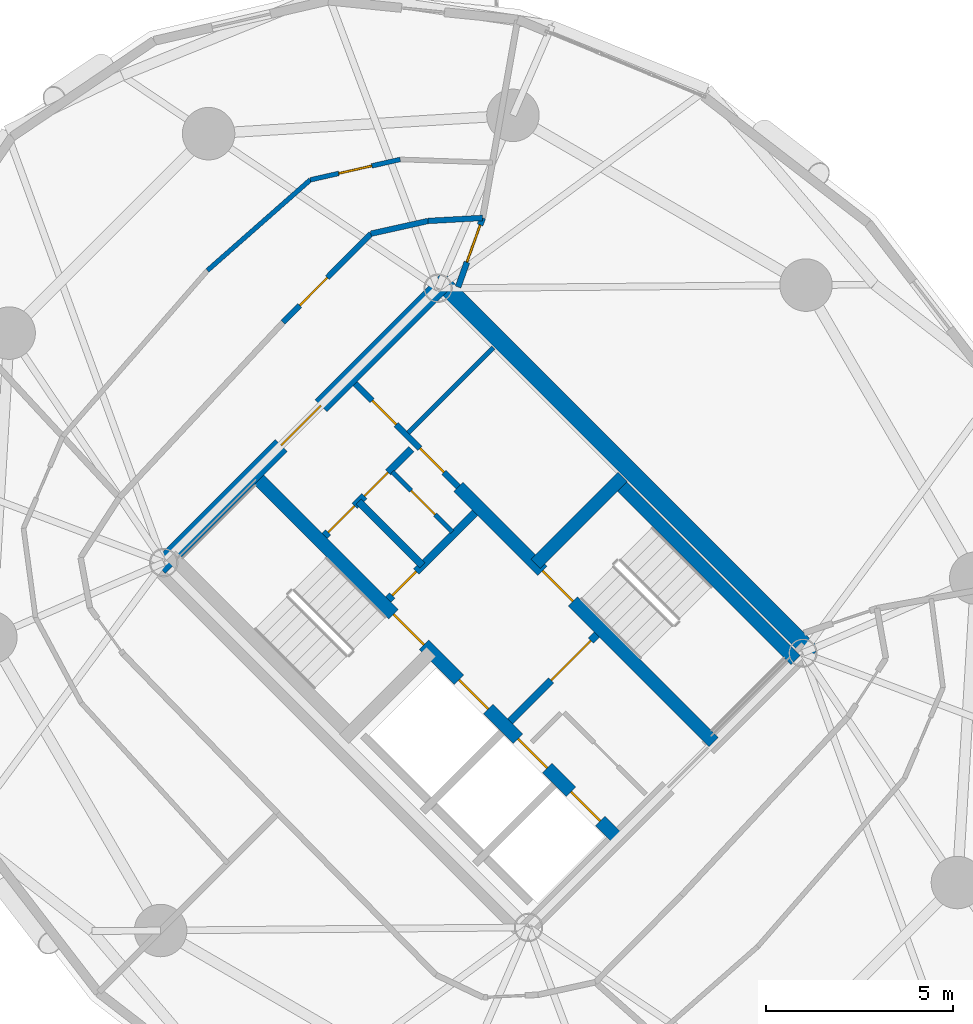
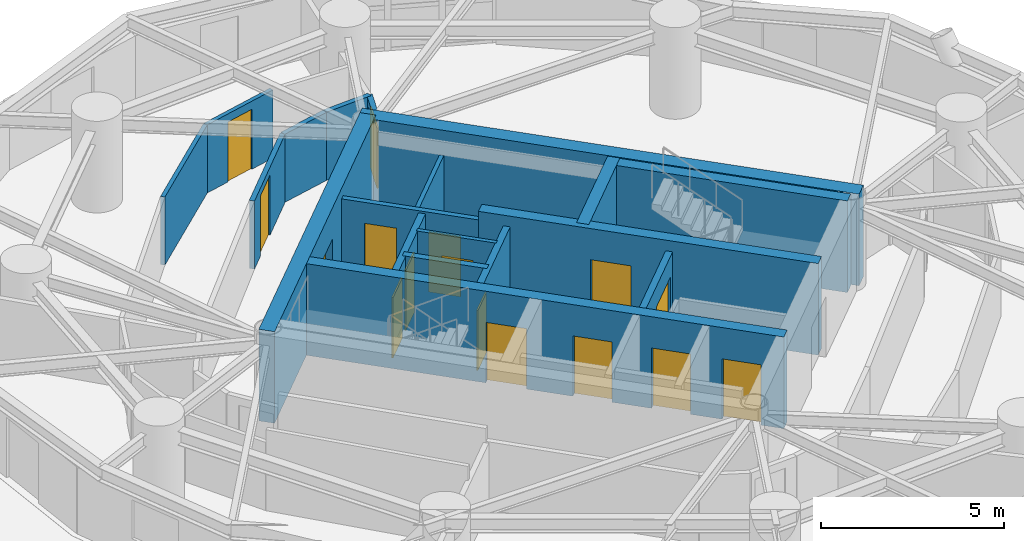
# One storey, part 13 of 19: 19 walls, 16 doors, 16 openings.
"""IFC4 building model written with IfcOpenShell, lengths in metres."""

import ifcopenshell
import ifcopenshell.guid

model = None  # the IFC model being written
_history = None  # IfcOwnerHistory: only IFC2X3 demands one
_inside = {}  # id of a spatial element -> (the spatial element, [elements in it])
_under = {}  # id of a project, library or spatial element -> (it, [spatial elements below it])
_declared = {}  # id of a project -> (the project, [libraries it declares])
_typed = {}  # id of a type object -> (the type object, [elements of that type])
_made_of = {}  # id of a material, layer set ... -> (it, [elements and type objects made of it])


def new_model(schema):
    """Start an empty IFC model of exactly this schema.

    Asked for "IFC4X3", IfcOpenShell would pick the latest addendum, in which some entities
    have other attributes; the version numbers below select the first issue.
    IFC2X3 requires an IfcOwnerHistory on every rooted entity: one is made here for all.
    """
    global model, _history
    if schema == "IFC4X3":
        model = ifcopenshell.file(schema_version=(4, 3, 0, 0))
    else:
        model = ifcopenshell.file(schema=schema)
    _inside.clear()
    _under.clear()
    _declared.clear()
    _typed.clear()
    _made_of.clear()
    _history = None
    if model.schema == "IFC2X3":
        org = make("IfcOrganization", Name="unknown")
        user = make(
            "IfcPersonAndOrganization",
            ThePerson=make("IfcPerson", FamilyName="unknown"),
            TheOrganization=org,
        )
        app = make(
            "IfcApplication",
            ApplicationDeveloper=org,
            Version="unknown",
            ApplicationFullName="unknown",
            ApplicationIdentifier="unknown",
        )
        _history = make(
            "IfcOwnerHistory",
            OwningUser=user,
            OwningApplication=app,
            ChangeAction="ADDED",
            CreationDate=0,
        )
    return model


def make(cls, **values):
    """One entity of the class cls with the attributes given. An attribute that is None is left unset."""
    return model.create_entity(
        cls, **{name: value for name, value in values.items() if value is not None}
    )


def rooted(cls, **values):
    """An entity with a GlobalId (a new one), such as an element, a storey or a relation."""
    return make(cls, GlobalId=ifcopenshell.guid.new(), OwnerHistory=_history, **values)


def si_unit(unit_type, name, prefix=None):
    """IfcSIUnit, for example si_unit("LENGTHUNIT", "METRE", prefix="MILLI")."""
    return make("IfcSIUnit", UnitType=unit_type, Prefix=prefix, Name=name)


def assignment(units):
    """IfcUnitAssignment: the units of a project."""
    return None if units is None else make("IfcUnitAssignment", Units=units)


def point(xyz):
    """IfcCartesianPoint."""
    return None if xyz is None else make("IfcCartesianPoint", Coordinates=xyz)


def direction(xyz):
    """IfcDirection."""
    return None if xyz is None else make("IfcDirection", DirectionRatios=xyz)


def frame(location, z_axis=None, x_axis=None):
    """IfcAxis2Placement3D, a coordinate frame: its origin and axes. An axis left out is left unset."""
    return make(
        "IfcAxis2Placement3D",
        Location=point(location),
        Axis=direction(z_axis),
        RefDirection=direction(x_axis),
    )


def frame_2d(location, x_axis=None):
    """IfcAxis2Placement2D, a coordinate frame in the plane: its origin and x axis."""
    return make(
        "IfcAxis2Placement2D", Location=point(location), RefDirection=direction(x_axis)
    )


def origin():
    """The frame at (0, 0, 0) with its axes left unset."""
    return frame((0.0, 0.0, 0.0))


def place(relative_to, where):
    """IfcLocalPlacement: puts the frame where relative to a parent placement (None: the world)."""
    return make(
        "IfcLocalPlacement", PlacementRelTo=relative_to, RelativePlacement=where
    )


def context(
    kind, dimensions, precision=None, world=None, true_north=None, identifier=None
):
    """IfcGeometricRepresentationContext, for example the 3D "Model" context."""
    return make(
        "IfcGeometricRepresentationContext",
        ContextIdentifier=identifier,
        ContextType=kind,
        CoordinateSpaceDimension=dimensions,
        Precision=precision,
        WorldCoordinateSystem=world,
        TrueNorth=true_north,
    )


def subcontext(parent, identifier, kind, view, scale=None):
    """IfcGeometricRepresentationSubContext, for example "Body" below "Model"."""
    return make(
        "IfcGeometricRepresentationSubContext",
        ContextIdentifier=identifier,
        ContextType=kind,
        ParentContext=parent,
        TargetScale=scale,
        TargetView=view,
    )


def project(units=None, contexts=None):
    """IfcProject with its units and contexts."""
    return rooted(
        "IfcProject",
        Name="project",
        RepresentationContexts=contexts,
        UnitsInContext=assignment(units),
    )


def spatial(cls, under=None, at=None, **own):
    """A site, building, storey or space (cls), placed at a placement, below another one or the project."""
    s = rooted(cls, ObjectPlacement=at, **own)
    if under is not None:
        _under.setdefault(under.id(), (under, []))[1].append(s)
    return s


def profile(cls, at=None, kind="AREA", **sizes):
    """A parametric profile (cls). Its sizes go by their IFC names, for example OverallWidth=200.0."""
    return make(cls, ProfileType=kind, Position=at, **sizes)


def rectangle(**sizes):
    """IfcRectangleProfileDef."""
    return profile("IfcRectangleProfileDef", **sizes)


def extrude(swept, where, along, depth):
    """IfcExtrudedAreaSolid: the profile swept, set in the frame where, extruded along a direction by depth."""
    return make(
        "IfcExtrudedAreaSolid",
        SweptArea=swept,
        Position=where,
        ExtrudedDirection=direction(along),
        Depth=depth,
    )


def shape(context_of_items, identifier, shape_type, items):
    """IfcShapeRepresentation: the items that make up one representation, for example the "Body"."""
    return make(
        "IfcShapeRepresentation",
        ContextOfItems=context_of_items,
        RepresentationIdentifier=identifier,
        RepresentationType=shape_type,
        Items=items,
    )


def source(mapping_origin, context_of_items, identifier, shape_type, items):
    """IfcRepresentationMap: a shape defined once, which mapped items show again and again."""
    return make(
        "IfcRepresentationMap",
        MappingOrigin=mapping_origin,
        MappedRepresentation=shape(context_of_items, identifier, shape_type, items),
    )


def transform(
    local_origin,
    x_axis=None,
    y_axis=None,
    z_axis=None,
    scale=None,
    scale2=None,
    scale3=None,
    uniform=True,
):
    """IfcCartesianTransformationOperator3D, or its non-uniform kind. x_axis, y_axis, z_axis: its Axis1, 2, 3."""
    if uniform:
        return make(
            "IfcCartesianTransformationOperator3D",
            Axis1=direction(x_axis),
            Axis2=direction(y_axis),
            LocalOrigin=point(local_origin),
            Scale=scale,
            Axis3=direction(z_axis),
        )
    return make(
        "IfcCartesianTransformationOperator3DnonUniform",
        Axis1=direction(x_axis),
        Axis2=direction(y_axis),
        LocalOrigin=point(local_origin),
        Scale=scale,
        Axis3=direction(z_axis),
        Scale2=scale2,
        Scale3=scale3,
    )


def mapped(mapping_source, mapping_target):
    """IfcMappedItem: shows the shape of a source again, moved by a transform."""
    return make(
        "IfcMappedItem", MappingSource=mapping_source, MappingTarget=mapping_target
    )


def material(Name=None, Category=None):
    """IfcMaterial."""
    return make("IfcMaterial", Name=Name, Category=Category)


def layer(
    of_material, thickness, ventilated=None, Name=None, Category=None, Priority=None
):
    """IfcMaterialLayer: one layer of a wall or slab, of a material (None: an air gap)."""
    return make(
        "IfcMaterialLayer",
        Material=of_material,
        LayerThickness=thickness,
        IsVentilated=ventilated,
        Name=Name,
        Category=Category,
        Priority=Priority,
    )


def layer_set(layers, Name=None):
    """IfcMaterialLayerSet."""
    return make("IfcMaterialLayerSet", MaterialLayers=layers, LayerSetName=Name)


def made_of(thing, what):
    """Note that an element or type object is made of a material, layer set ...; save() writes the relation."""
    if what is not None:
        _made_of.setdefault(what.id(), (what, []))[1].append(thing)
    return thing


def type_object(cls, material=None, **own):
    """A type object (cls), such as IfcWallType, which elements share."""
    return made_of(rooted(cls, **own), material)


def element(
    cls,
    number,
    at=None,
    inside=None,
    cuts=None,
    type_object=None,
    material=None,
    context=None,
    identifier="Body",
    shape_type=None,
    held_by="IfcProductDefinitionShape",
    body=None,
    shapes=None,
    **own,
):
    """One element of the class cls, such as IfcWall. Its Tag is "e" and its number.

    at: its placement. inside: the storey or other place that contains it. cuts: it is an
    opening in that element (IfcRelVoidsElement). A single representation is given by context,
    identifier, shape_type and body (its items); several are given by shapes. held_by: the class
    of the entity that holds the representations. save() writes the other relations.
    """
    e = rooted(cls, Tag="e%d" % number, ObjectPlacement=at, **own)
    if body is not None:
        shapes = [shape(context, identifier, shape_type, body)]
    if shapes is not None:
        e.Representation = make(held_by, Representations=shapes)
    if inside is not None:
        _inside.setdefault(inside.id(), (inside, []))[1].append(e)
    if cuts is not None:
        rooted(
            "IfcRelVoidsElement", RelatingBuildingElement=cuts, RelatedOpeningElement=e
        )
    if type_object is not None:
        _typed.setdefault(type_object.id(), (type_object, []))[1].append(e)
    return made_of(e, material)


def fill(opening, filler):
    """IfcRelFillsElement: the door or window that sits in an opening."""
    return rooted(
        "IfcRelFillsElement",
        RelatingOpeningElement=opening,
        RelatedBuildingElement=filler,
    )


def aggregate(whole, parts):
    """IfcRelAggregates: a whole, such as a stair, and the parts it consists of."""
    return rooted("IfcRelAggregates", RelatingObject=whole, RelatedObjects=parts)


def save(model, path):
    """Write the relations noted so far, then the file.

    IfcRelAggregates (storeys below a building ...), IfcRelContainedInSpatialStructure (elements
    in a storey), IfcRelDefinesByType, IfcRelAssociatesMaterial and IfcRelDeclares: one each for
    every whole, place, type object, material and project.
    """
    for whole, parts in _under.values():
        aggregate(whole, parts)
    for where, things in _inside.values():
        rooted(
            "IfcRelContainedInSpatialStructure",
            RelatedElements=things,
            RelatingStructure=where,
        )
    for kind, things in _typed.values():
        rooted("IfcRelDefinesByType", RelatedObjects=things, RelatingType=kind)
    for what, things in _made_of.values():
        rooted("IfcRelAssociatesMaterial", RelatedObjects=things, RelatingMaterial=what)
    for by, libraries in _declared.values():
        rooted("IfcRelDeclares", RelatingContext=by, RelatedDefinitions=libraries)
    model.write(path)


model = new_model("IFC4")

# Units and contexts
model_context = context("Model", 3, precision=1e-05, world=origin(), true_north=direction((0.0, 1.0)))
body_context = subcontext(model_context, "Body", "Model", "MODEL_VIEW")
ifc_project = project(units=[si_unit("LENGTHUNIT", "METRE"), si_unit("AREAUNIT", "SQUARE_METRE"), si_unit("VOLUMEUNIT", "CUBIC_METRE"), si_unit("PLANEANGLEUNIT", "RADIAN"), si_unit("MASSUNIT", "GRAM", prefix="KILO")], contexts=[model_context])

# Site, building, storey
site_placement = place(None, origin())
site = spatial("IfcSite", under=ifc_project, at=site_placement, CompositionType="ELEMENT")
building_placement = place(site_placement, origin())
building = spatial("IfcBuilding", under=site, at=building_placement, Name="Cununo Teusaquillo Station Towers", CompositionType="ELEMENT")
storey_placement = place(building_placement, frame((0.0, 0.0, 144.0400390625)))
storey = spatial("IfcBuildingStorey", under=building, at=storey_placement, Name="L45", CompositionType="ELEMENT", Elevation=144.0400390625)

# Wall, openings, doors
ifc_material_1 = material(Name="Concrete C50/60", Category="concrete")
ifc_layer_1 = layer(ifc_material_1, 0.35009765625)
ifc_layer_set_1 = layer_set([ifc_layer_1], Name="Concrete C50/60")
wall_type_1 = type_object("IfcWallType", Name="WL-CORE-350", PredefinedType="SHEAR", material=ifc_layer_set_1)
wall_1_placement = place(storey_placement, frame((61.077880859375, 18.355224609375, 0.0), z_axis=(0.0, 0.0, 1.0), x_axis=(-0.707106781187, 0.707106781187, 0.0)))
wall_1 = element("IfcWall", 1, at=wall_1_placement, inside=storey, type_object=wall_type_1, Name="L45 Tower B Core Shear Wall IW", PredefinedType="SHEAR", context=body_context, shape_type="SweptSolid", body=[
    extrude(rectangle(XDim=13.75, YDim=0.35009765625, at=frame_2d((6.875, 0.0))), origin(), (0.0, 0.0, 1.0), 3.06005859375),
])
shared_shape_1 = source(origin(), body_context, "Body", "SweptSolid", [
    extrude(rectangle(XDim=1.10009765625, YDim=2.014892578125, at=frame_2d((0.550048828125, 1.00732421875))), frame((0.0, 0.18505859375, 0.0), z_axis=(0.0, -1.0, 0.0), x_axis=(1.0, 0.0, 0.0)), (0.0, 0.0, 1.0), 0.3701171875),
])
opening_1_placement = place(wall_1_placement, frame((4.875, 0.0, 0.0)))
opening_1 = element("IfcOpeningElement", 2, at=opening_1_placement, cuts=wall_1, Name="Opening LD-01", PredefinedType="OPENING", context=body_context, shape_type="MappedRepresentation", body=[
    mapped(shared_shape_1, transform((0.0, 0.0, 0.0), x_axis=(1.0, 0.0, 0.0), y_axis=(0.0, 1.0, 0.0), z_axis=(0.0, 0.0, 1.0), scale=1.0)),
])
opening_2_placement = place(wall_1_placement, frame((0.64990234375, 0.0, 0.0)))
opening_2 = element("IfcOpeningElement", 3, at=opening_2_placement, cuts=wall_1, Name="Opening LD-01", PredefinedType="OPENING", context=body_context, shape_type="MappedRepresentation", body=[
    mapped(shared_shape_1, transform((0.0, 0.0, 0.0), x_axis=(1.0, 0.0, 0.0), y_axis=(0.0, 1.0, 0.0), z_axis=(0.0, 0.0, 1.0), scale=1.0)),
])
opening_3_placement = place(wall_1_placement, frame((2.64990234375, 0.0, 0.0)))
opening_3 = element("IfcOpeningElement", 4, at=opening_3_placement, cuts=wall_1, Name="Opening LD-01", PredefinedType="OPENING", context=body_context, shape_type="MappedRepresentation", body=[
    mapped(shared_shape_1, transform((0.0, 0.0, 0.0), x_axis=(1.0, 0.0, 0.0), y_axis=(0.0, 1.0, 0.0), z_axis=(0.0, 0.0, 1.0), scale=1.0)),
])
shared_shape_2 = source(origin(), body_context, "Body", "SweptSolid", [
    extrude(rectangle(XDim=1.14990234375, YDim=2.02001953125, at=frame_2d((0.574951171875, 1.010009765625))), frame((0.0, 0.18505859375, 0.0), z_axis=(0.0, -1.0, 0.0), x_axis=(1.0, 0.0, 0.0)), (0.0, 0.0, 1.0), 0.3701171875),
])
opening_4_placement = place(wall_1_placement, frame((7.294921875, 0.0, 0.0)))
opening_4 = element("IfcOpeningElement", 5, at=opening_4_placement, cuts=wall_1, Name="Opening D-ST1", PredefinedType="OPENING", context=body_context, shape_type="MappedRepresentation", body=[
    mapped(shared_shape_2, transform((0.0, 0.0, 0.0), x_axis=(1.0, 0.0, 0.0), y_axis=(0.0, 1.0, 0.0), z_axis=(0.0, 0.0, 1.0), scale=1.0)),
])
ifc_material_2 = material(Name="Galvanised fire-rated hollow steel door assembly", Category="steel")
door_type_1 = type_object("IfcDoorType", Name="DR-LIFT-1100", OperationType="SLIDING_TO_LEFT", PredefinedType="DOOR", material=ifc_material_2)
shared_shape_3 = source(origin(), body_context, "Body", "SweptSolid", [
    extrude(rectangle(XDim=1.10009765625, YDim=2.014892578125, at=frame_2d((0.550048828125, 1.00732421875))), frame((0.0, 0.02490234375, 0.0), z_axis=(0.0, -1.0, 0.0), x_axis=(1.0, 0.0, 0.0)), (0.0, 0.0, 1.0), 0.050048828125),
])
door_1_placement = place(opening_1_placement, origin())
door_1 = element("IfcDoor", 6, at=door_1_placement, inside=storey, type_object=door_type_1, Name="L45 Lift FL-T2 Sliding Landing Door", OperationType="SLIDING_TO_LEFT", OverallHeight=2.014892578125, OverallWidth=1.10009765625, PredefinedType="DOOR", context=body_context, shape_type="MappedRepresentation", body=[
    mapped(shared_shape_3, transform((0.0, 0.0, 0.0), x_axis=(1.0, 0.0, 0.0), y_axis=(0.0, 1.0, 0.0), z_axis=(0.0, 0.0, 1.0), scale=1.0)),
])
fill(opening_1, door_1)
door_2_placement = place(opening_2_placement, origin())
door_2 = element("IfcDoor", 7, at=door_2_placement, inside=storey, type_object=door_type_1, Name="L45 Lift PL-T2-H1 Sliding Landing Door", OperationType="SLIDING_TO_LEFT", OverallHeight=2.014892578125, OverallWidth=1.10009765625, PredefinedType="DOOR", context=body_context, shape_type="MappedRepresentation", body=[
    mapped(shared_shape_3, transform((0.0, 0.0, 0.0), x_axis=(1.0, 0.0, 0.0), y_axis=(0.0, 1.0, 0.0), z_axis=(0.0, 0.0, 1.0), scale=1.0)),
])
fill(opening_2, door_2)
door_3_placement = place(opening_3_placement, origin())
door_3 = element("IfcDoor", 8, at=door_3_placement, inside=storey, type_object=door_type_1, Name="L45 Lift PL-T2-H2 Sliding Landing Door", OperationType="SLIDING_TO_RIGHT", OverallHeight=2.014892578125, OverallWidth=1.10009765625, PredefinedType="DOOR", context=body_context, shape_type="MappedRepresentation", body=[
    mapped(shared_shape_3, transform((0.0, 0.0, 0.0), x_axis=(1.0, 0.0, 0.0), y_axis=(0.0, 1.0, 0.0), z_axis=(0.0, 0.0, 1.0), scale=1.0)),
])
fill(opening_3, door_3)
ifc_material_3 = material(Name="Galvanised fire-rated hollow steel door assembly", Category="steel")
door_type_2 = type_object("IfcDoorType", Name="DR-STAIR-1150", OperationType="NOTDEFINED", PredefinedType="DOOR", material=ifc_material_3)
shared_shape_4 = source(origin(), body_context, "Body", "SweptSolid", [
    extrude(rectangle(XDim=1.14990234375, YDim=2.02001953125, at=frame_2d((0.574951171875, 1.010009765625))), frame((0.0, 0.02490234375, 0.0), z_axis=(0.0, -1.0, 0.0), x_axis=(1.0, 0.0, 0.0)), (0.0, 0.0, 1.0), 0.050048828125),
])
door_4_placement = place(opening_4_placement, origin())
door_4 = element("IfcDoor", 9, at=door_4_placement, inside=storey, type_object=door_type_2, Name="L45 Tower B Exit Stair 1 Fire Door", OperationType="SINGLE_SWING_RIGHT", OverallHeight=2.02001953125, OverallWidth=1.14990234375, PredefinedType="DOOR", context=body_context, shape_type="MappedRepresentation", body=[
    mapped(shared_shape_4, transform((0.0, 0.0, 0.0), x_axis=(1.0, 0.0, 0.0), y_axis=(0.0, 1.0, 0.0), z_axis=(0.0, 0.0, 1.0), scale=1.0)),
])
fill(opening_4, door_4)

# Wall, opening, door
wall_2_placement = place(storey_placement, frame((63.644775390625, 20.922119140625, 0.0), z_axis=(0.0, 0.0, 1.0), x_axis=(-0.70711946392, 0.707094098226, 0.0)))
wall_2 = element("IfcWall", 10, at=wall_2_placement, inside=storey, type_object=wall_type_1, Name="L45 Tower B Core Shear Wall IE", PredefinedType="SHEAR", context=body_context, shape_type="SweptSolid", body=[
    extrude(rectangle(XDim=9.624755859375, YDim=0.35009765625, at=frame_2d((4.8125, 0.0))), origin(), (0.0, 0.0, 1.0), 3.06005859375),
])
opening_5_placement = place(wall_2_placement, frame((5.304931640625, 0.0, 0.0)))
opening_5 = element("IfcOpeningElement", 11, at=opening_5_placement, cuts=wall_2, Name="Opening D-ST1", PredefinedType="OPENING", context=body_context, shape_type="MappedRepresentation", body=[
    mapped(shared_shape_2, transform((0.0, 0.0, 0.0), x_axis=(1.0, 0.0, 0.0), y_axis=(0.0, 1.0, 0.0), z_axis=(0.0, 0.0, 1.0), scale=1.0)),
])
door_5_placement = place(opening_5_placement, origin())
door_5 = element("IfcDoor", 12, at=door_5_placement, inside=storey, type_object=door_type_2, Name="L45 Tower B Exit Stair 2 Fire Door", OperationType="SINGLE_SWING_LEFT", OverallHeight=2.02001953125, OverallWidth=1.14990234375, PredefinedType="DOOR", context=body_context, shape_type="MappedRepresentation", body=[
    mapped(shared_shape_4, transform((0.0, 0.0, 0.0), x_axis=(1.0, 0.0, 0.0), y_axis=(0.0, 1.0, 0.0), z_axis=(0.0, 0.0, 1.0), scale=1.0)),
])
fill(opening_5, door_5)

# Walls
wall_3_placement = place(storey_placement, frame((65.82958984375, 23.10693359375, 0.0), z_axis=(0.0, 0.0, 1.0), x_axis=(-0.707088616009, 0.707124945897, 0.0)))
element("IfcWall", 13, at=wall_3_placement, inside=storey, type_object=wall_type_1, Name="L45 Tower B Core Shear Wall ST2E", PredefinedType="SHEAR", context=body_context, shape_type="SweptSolid", body=[
    extrude(rectangle(XDim=6.72021484375, YDim=0.35009765625, at=frame_2d((3.360107421875, 0.0))), origin(), (0.0, 0.0, 1.0), 3.06005859375),
])
wall_4_placement = place(storey_placement, frame((58.89306640625, 25.673828125, 0.0), z_axis=(0.0, 0.0, 1.0), x_axis=(0.707106781187, 0.707106781187, 0.0)))
element("IfcWall", 14, at=wall_4_placement, inside=storey, type_object=wall_type_1, Name="L45 Tower B Core Shear Wall ST2N", PredefinedType="SHEAR", context=body_context, shape_type="SweptSolid", body=[
    extrude(rectangle(XDim=3.284912109375, YDim=0.35009765625, at=frame_2d((1.642578125, 0.0))), origin(), (0.0, 0.0, 1.0), 3.06005859375),
])
ifc_material_4 = material(Name="Concrete C60/75", Category="concrete")
ifc_layer_2 = layer(ifc_material_4, 0.449951171875)
ifc_layer_set_2 = layer_set([ifc_layer_2], Name="Concrete C60/75")
wall_type_2 = type_object("IfcWallType", Name="WL-CORE-450", PredefinedType="SHEAR", material=ifc_layer_set_2)
wall_5_placement = place(storey_placement, frame((66.303466796875, 23.2626953125, 0.0), z_axis=(0.0, 0.0, 1.0), x_axis=(-0.707106781187, 0.707106781187, 0.0)))
element("IfcWall", 15, at=wall_5_placement, inside=storey, type_object=wall_type_2, Name="L45 Tower B Core Shear Wall E", PredefinedType="SHEAR", context=body_context, shape_type="SweptSolid", body=[
    extrude(rectangle(XDim=14.19970703125, YDim=0.449951171875, at=frame_2d((7.099853515625, 0.0))), origin(), (0.0, 0.0, 1.0), 3.06005859375),
])

# Wall, opening, door
wall_6_placement = place(storey_placement, frame((48.855712890625, 25.578369140625, 0.0), z_axis=(0.0, 0.0, 1.0), x_axis=(0.707106781187, 0.707106781187, 0.0)))
wall_6 = element("IfcWall", 16, at=wall_6_placement, inside=storey, type_object=wall_type_2, Name="L45 Tower B Core Shear Wall N", PredefinedType="SHEAR", context=body_context, shape_type="SweptSolid", body=[
    extrude(rectangle(XDim=10.69970703125, YDim=0.449951171875, at=frame_2d((5.349853515625, 0.0))), origin(), (0.0, 0.0, 1.0), 3.06005859375),
])
shared_shape_5 = source(origin(), body_context, "Body", "SweptSolid", [
    extrude(rectangle(XDim=1.5, YDim=2.02001953125, at=frame_2d((0.75, 1.010009765625))), frame((0.0, 0.23486328125, 0.0), z_axis=(0.0, -1.0, 0.0), x_axis=(1.0, 0.0, 0.0)), (0.0, 0.0, 1.0), 0.469970703125),
])
opening_6_placement = place(wall_6_placement, frame((4.60009765625, 0.0, 0.0)))
opening_6 = element("IfcOpeningElement", 17, at=opening_6_placement, cuts=wall_6, Name="Opening D-LB1", PredefinedType="OPENING", context=body_context, shape_type="MappedRepresentation", body=[
    mapped(shared_shape_5, transform((0.0, 0.0, 0.0), x_axis=(1.0, 0.0, 0.0), y_axis=(0.0, 1.0, 0.0), z_axis=(0.0, 0.0, 1.0), scale=1.0)),
])
ifc_material_5 = material(Name="Galvanised fire-rated hollow steel door assembly", Category="steel")
door_type_3 = type_object("IfcDoorType", Name="DR-LOBBY-1500", OperationType="DOUBLE_DOOR_SINGLE_SWING", PredefinedType="DOOR", material=ifc_material_5)
shared_shape_6 = source(origin(), body_context, "Body", "SweptSolid", [
    extrude(rectangle(XDim=1.5, YDim=2.02001953125, at=frame_2d((0.75, 1.010009765625))), frame((0.0, 0.02490234375, 0.0), z_axis=(0.0, -1.0, 0.0), x_axis=(1.0, 0.0, 0.0)), (0.0, 0.0, 1.0), 0.050048828125),
])
door_6_placement = place(opening_6_placement, origin())
door_6 = element("IfcDoor", 18, at=door_6_placement, inside=storey, type_object=door_type_3, Name="L45 Tower B North Core Lift Lobby Door", OperationType="DOUBLE_DOOR_SINGLE_SWING", OverallHeight=2.02001953125, OverallWidth=1.5, PredefinedType="DOOR", context=body_context, shape_type="MappedRepresentation", body=[
    mapped(shared_shape_6, transform((0.0, 0.0, 0.0), x_axis=(1.0, 0.0, 0.0), y_axis=(0.0, 1.0, 0.0), z_axis=(0.0, 0.0, 1.0), scale=1.0)),
])
fill(opening_6, door_6)

ifc_material_6 = material(Name="Fire-rated gypsum plasterboard partition assembly", Category="gypsum")
ifc_layer_3 = layer(ifc_material_6, 0.125)
ifc_layer_set_3 = layer_set([ifc_layer_3], Name="Fire-rated gypsum plasterboard partition assembly")
wall_type_3 = type_object("IfcWallType", Name="WL-PART-125", PredefinedType="PARTITIONING", material=ifc_layer_set_3)
wall_7_placement = place(storey_placement, frame((56.672607421875, 26.529296875, 0.0), z_axis=(0.0, 0.0, 1.0), x_axis=(-0.707052764397, 0.70716079385, 0.0)))
wall_7 = element("IfcWall", 19, at=wall_7_placement, inside=storey, type_object=wall_type_3, Name="L45 Tower B Core Vertical Split Wall", PredefinedType="PARTITIONING", context=body_context, shape_type="SweptSolid", body=[
    extrude(rectangle(XDim=2.260009765625, YDim=0.125, at=frame_2d((1.1298828125, 0.0))), origin(), (0.0, 0.0, 1.0), 2.705078125),
])
shared_shape_7 = source(origin(), body_context, "Body", "SweptSolid", [
    extrude(rectangle(XDim=0.89990234375, YDim=2.0048828125, at=frame_2d((0.449951171875, 1.00244140625))), frame((0.0, 0.072509765625, 0.0), z_axis=(0.0, -1.0, 0.0), x_axis=(1.0, 0.0, 0.0)), (0.0, 0.0, 1.0), 0.14501953125),
])
opening_7_placement = place(wall_7_placement, frame((0.64990234375, 0.0, 0.0)))
opening_7 = element("IfcOpeningElement", 20, at=opening_7_placement, cuts=wall_7, Name="Opening D-SR1", PredefinedType="OPENING", context=body_context, shape_type="MappedRepresentation", body=[
    mapped(shared_shape_7, transform((0.0, 0.0, 0.0), x_axis=(1.0, 0.0, 0.0), y_axis=(0.0, 1.0, 0.0), z_axis=(0.0, 0.0, 1.0), scale=1.0)),
])
ifc_material_7 = material(Name="Galvanised fire-rated hollow steel door assembly", Category="steel")
door_type_4 = type_object("IfcDoorType", Name="DR-STORE-900", OperationType="NOTDEFINED", PredefinedType="DOOR", material=ifc_material_7)
shared_shape_8 = source(origin(), body_context, "Body", "SweptSolid", [
    extrude(rectangle(XDim=0.89990234375, YDim=2.0048828125, at=frame_2d((0.449951171875, 1.00244140625))), frame((0.0, 0.02490234375, 0.0), z_axis=(0.0, -1.0, 0.0), x_axis=(1.0, 0.0, 0.0)), (0.0, 0.0, 1.0), 0.050048828125),
])
door_7_placement = place(opening_7_placement, origin())
door_7 = element("IfcDoor", 21, at=door_7_placement, inside=storey, type_object=door_type_4, Name="L45 Tower B Core Electrical Room Door", OperationType="SINGLE_SWING_RIGHT", OverallHeight=2.0048828125, OverallWidth=0.89990234375, PredefinedType="DOOR", context=body_context, shape_type="MappedRepresentation", body=[
    mapped(shared_shape_8, transform((0.0, 0.0, 0.0), x_axis=(1.0, 0.0, 0.0), y_axis=(0.0, 1.0, 0.0), z_axis=(0.0, 0.0, 1.0), scale=1.0)),
])
fill(opening_7, door_7)

# Wall
wall_8_placement = place(storey_placement, frame((55.49169921875, 29.1669921875, 0.0), z_axis=(0.0, 0.0, 1.0), x_axis=(0.707144688645, 0.707068871696, 0.0)))
element("IfcWall", 22, at=wall_8_placement, inside=storey, type_object=wall_type_3, Name="L45 Tower B Reclaimed Bay Divider Wall", PredefinedType="PARTITIONING", context=body_context, shape_type="SweptSolid", body=[
    extrude(rectangle(XDim=3.22021484375, YDim=0.125, at=frame_2d((1.610107421875, 0.0))), origin(), (0.0, 0.0, 1.0), 2.241943359375),
])

# Wall, opening, door
wall_9_placement = place(storey_placement, frame((55.28466796875, 36.45947265625, 0.0), z_axis=(0.0, 0.0, 1.0), x_axis=(-0.975103608535, -0.221749752246, 0.0)))
wall_9 = element("IfcWall", 23, at=wall_9_placement, inside=storey, type_object=wall_type_3, Name="L45 Tower B Belvedere Botanical Conservatory Salon Concentric Partition Wall C03", PredefinedType="PARTITIONING", context=body_context, shape_type="SweptSolid", body=[
    extrude(rectangle(XDim=2.460693359375, YDim=0.125, at=frame_2d((1.23046875, 0.0))), origin(), (0.0, 0.0, 1.0), 2.27490234375),
])
opening_8_placement = place(wall_9_placement, frame((0.780517578125, 0.0, 0.0)))
opening_8 = element("IfcOpeningElement", 24, at=opening_8_placement, cuts=wall_9, Name="Opening D-IN1", PredefinedType="OPENING", context=body_context, shape_type="MappedRepresentation", body=[
    mapped(shared_shape_7, transform((0.0, 0.0, 0.0), x_axis=(1.0, 0.0, 0.0), y_axis=(0.0, 1.0, 0.0), z_axis=(0.0, 0.0, 1.0), scale=1.0)),
])
ifc_material_8 = material(Name="Acoustic solid-core hardwood leaf assembly", Category="wood")
door_type_5 = type_object("IfcDoorType", Name="DR-INT-900", OperationType="NOTDEFINED", PredefinedType="DOOR", material=ifc_material_8)
door_8_placement = place(opening_8_placement, origin())
door_8 = element("IfcDoor", 25, at=door_8_placement, inside=storey, type_object=door_type_5, Name="L45 Tower B Belvedere Botanical Conservatory Salon Connecting Door", OperationType="SINGLE_SWING_RIGHT", OverallHeight=2.0048828125, OverallWidth=0.89990234375, PredefinedType="DOOR", context=body_context, shape_type="MappedRepresentation", body=[
    mapped(shared_shape_8, transform((0.0, 0.0, 0.0), x_axis=(1.0, 0.0, 0.0), y_axis=(0.0, 1.0, 0.0), z_axis=(0.0, 0.0, 1.0), scale=1.0)),
])
fill(opening_8, door_8)

# Walls
wall_10_placement = place(storey_placement, frame((52.88525390625, 35.913818359375, 0.0), z_axis=(0.0, 0.0, 1.0), x_axis=(-0.750358205808, -0.66103143872, 0.0)))
element("IfcWall", 26, at=wall_10_placement, inside=storey, type_object=wall_type_3, Name="L45 Tower B Belvedere Botanical Conservatory Salon Concentric Partition Wall C04", PredefinedType="PARTITIONING", context=body_context, shape_type="SweptSolid", body=[
    extrude(rectangle(XDim=3.654296875, YDim=0.125, at=frame_2d((1.8271484375, 0.0))), origin(), (0.0, 0.0, 1.0), 2.27490234375),
])
ifc_material_9 = material(Name="Fire-rated gypsum plasterboard partition assembly", Category="gypsum")
ifc_layer_4 = layer(ifc_material_9, 0.14990234375)
ifc_layer_set_4 = layer_set([ifc_layer_4], Name="Fire-rated gypsum plasterboard partition assembly")
wall_type_4 = type_object("IfcWallType", Name="WL-PART-150", PredefinedType="PARTITIONING", material=ifc_layer_set_4)
wall_11_placement = place(storey_placement, frame((57.48193359375, 34.899169921875, 0.0), z_axis=(0.0, 0.0, 1.0), x_axis=(-0.998466026722, -0.055367801852, 0.0)))
element("IfcWall", 27, at=wall_11_placement, inside=storey, type_object=wall_type_4, Name="L45 Tower B Corridor Ring Wall C02", PredefinedType="PARTITIONING", context=body_context, shape_type="SweptSolid", body=[
    extrude(rectangle(XDim=1.455078125, YDim=0.14990234375, at=frame_2d((0.7275390625, 0.0))), origin(), (0.0, 0.0, 1.0), 2.27490234375),
])
wall_12_placement = place(storey_placement, frame((56.029052734375, 34.818603515625, 0.0), z_axis=(0.0, 0.0, 1.0), x_axis=(-0.976117289068, -0.217244189754, 0.0)))
element("IfcWall", 28, at=wall_12_placement, inside=storey, type_object=wall_type_4, Name="L45 Tower B Corridor Ring Wall C03", PredefinedType="PARTITIONING", context=body_context, shape_type="SweptSolid", body=[
    extrude(rectangle(XDim=1.5654296875, YDim=0.14990234375, at=frame_2d((0.78271484375, 0.0))), origin(), (0.0, 0.0, 1.0), 2.27490234375),
])

# Wall, opening, door
wall_13_placement = place(storey_placement, frame((54.5009765625, 34.478515625, 0.0), z_axis=(0.0, 0.0, 1.0), x_axis=(-0.70346073929, -0.710734119258, 0.0)))
wall_13 = element("IfcWall", 29, at=wall_13_placement, inside=storey, type_object=wall_type_4, Name="L45 Tower B Corridor Ring Wall C04", PredefinedType="PARTITIONING", context=body_context, shape_type="SweptSolid", body=[
    extrude(rectangle(XDim=3.322998046875, YDim=0.14990234375, at=frame_2d((1.66162109375, 0.0))), origin(), (0.0, 0.0, 1.0), 2.27490234375),
])
shared_shape_9 = source(origin(), body_context, "Body", "SweptSolid", [
    extrude(rectangle(XDim=1.050048828125, YDim=2.014892578125, at=frame_2d((0.52490234375, 1.00732421875))), frame((0.0, 0.0849609375, 0.0), z_axis=(0.0, -1.0, 0.0), x_axis=(1.0, 0.0, 0.0)), (0.0, 0.0, 1.0), 0.169921875),
])
opening_9_placement = place(wall_13_placement, frame((1.644775390625, 0.0, 0.0)))
opening_9 = element("IfcOpeningElement", 30, at=opening_9_placement, cuts=wall_13, Name="Opening D-SU1", PredefinedType="OPENING", context=body_context, shape_type="MappedRepresentation", body=[
    mapped(shared_shape_9, transform((0.0, 0.0, 0.0), x_axis=(1.0, 0.0, 0.0), y_axis=(0.0, 1.0, 0.0), z_axis=(0.0, 0.0, 1.0), scale=1.0)),
])
ifc_material_10 = material(Name="Acoustic solid-core hardwood leaf assembly", Category="wood")
door_type_6 = type_object("IfcDoorType", Name="DR-SUITE-1050", OperationType="NOTDEFINED", PredefinedType="DOOR", material=ifc_material_10)
shared_shape_10 = source(origin(), body_context, "Body", "SweptSolid", [
    extrude(rectangle(XDim=1.050048828125, YDim=2.014892578125, at=frame_2d((0.52490234375, 1.00732421875))), frame((0.0, 0.02490234375, 0.0), z_axis=(0.0, -1.0, 0.0), x_axis=(1.0, 0.0, 0.0)), (0.0, 0.0, 1.0), 0.050048828125),
])
door_9_placement = place(opening_9_placement, origin())
door_9 = element("IfcDoor", 31, at=door_9_placement, inside=storey, type_object=door_type_6, Name="L45 Tower B Belvedere Botanical Conservatory Salon Entrance Door", OperationType="SINGLE_SWING_LEFT", OverallHeight=2.014892578125, OverallWidth=1.050048828125, PredefinedType="DOOR", context=body_context, shape_type="MappedRepresentation", body=[
    mapped(shared_shape_10, transform((0.0, 0.0, 0.0), x_axis=(1.0, 0.0, 0.0), y_axis=(0.0, 1.0, 0.0), z_axis=(0.0, 0.0, 1.0), scale=1.0)),
])
fill(opening_9, door_9)

# Wall, openings, doors
ifc_material_11 = material(Name="Fire-rated gypsum plasterboard partition assembly", Category="gypsum")
ifc_layer_5 = layer(ifc_material_11, 0.159912109375)
ifc_layer_set_5 = layer_set([ifc_layer_5], Name="Fire-rated gypsum plasterboard partition assembly")
wall_type_5 = type_object("IfcWallType", Name="WL-PART-160", PredefinedType="PARTITIONING", material=ifc_layer_set_5)
wall_14_placement = place(storey_placement, frame((56.8388671875, 27.727783203125, 0.0), z_axis=(0.0, 0.0, 1.0), x_axis=(-0.707106781187, 0.707106781187, 0.0)))
wall_14 = element("IfcWall", 32, at=wall_14_placement, inside=storey, type_object=wall_type_5, Name="L45 Tower B Reclaimed Core Bay Entry Wall", PredefinedType="PARTITIONING", context=body_context, shape_type="SweptSolid", body=[
    extrude(rectangle(XDim=3.900146484375, YDim=0.159912109375, at=frame_2d((1.9501953125, 0.0))), origin(), (0.0, 0.0, 1.0), 2.705078125),
])
shared_shape_11 = source(origin(), body_context, "Body", "SweptSolid", [
    extrude(rectangle(XDim=0.89990234375, YDim=2.0048828125, at=frame_2d((0.449951171875, 1.00244140625))), frame((0.0, 0.08984375, 0.0), z_axis=(0.0, -1.0, 0.0), x_axis=(1.0, 0.0, 0.0)), (0.0, 0.0, 1.0), 0.179931640625),
])
opening_10_placement = place(wall_14_placement, frame((0.550048828125, 0.0, 0.0)))
opening_10 = element("IfcOpeningElement", 33, at=opening_10_placement, cuts=wall_14, Name="Opening D-IN1", PredefinedType="OPENING", context=body_context, shape_type="MappedRepresentation", body=[
    mapped(shared_shape_11, transform((0.0, 0.0, 0.0), x_axis=(1.0, 0.0, 0.0), y_axis=(0.0, 1.0, 0.0), z_axis=(0.0, 0.0, 1.0), scale=1.0)),
])
opening_11_placement = place(wall_14_placement, frame((2.35009765625, 0.0, 0.0)))
opening_11 = element("IfcOpeningElement", 34, at=opening_11_placement, cuts=wall_14, Name="Opening D-IN1", PredefinedType="OPENING", context=body_context, shape_type="MappedRepresentation", body=[
    mapped(shared_shape_11, transform((0.0, 0.0, 0.0), x_axis=(1.0, 0.0, 0.0), y_axis=(0.0, 1.0, 0.0), z_axis=(0.0, 0.0, 1.0), scale=1.0)),
])
door_10_placement = place(opening_10_placement, origin())
door_10 = element("IfcDoor", 35, at=door_10_placement, inside=storey, type_object=door_type_5, Name="L45 Tower B Reclaimed Core Study Door", OperationType="SINGLE_SWING_LEFT", OverallHeight=2.0048828125, OverallWidth=0.89990234375, PredefinedType="DOOR", context=body_context, shape_type="MappedRepresentation", body=[
    mapped(shared_shape_8, transform((0.0, 0.0, 0.0), x_axis=(1.0, 0.0, 0.0), y_axis=(0.0, 1.0, 0.0), z_axis=(0.0, 0.0, 1.0), scale=1.0)),
])
fill(opening_10, door_10)
door_11_placement = place(opening_11_placement, origin())
door_11 = element("IfcDoor", 36, at=door_11_placement, inside=storey, type_object=door_type_5, Name="L45 Tower B Reclaimed Core Pantry Door", OperationType="SINGLE_SWING_RIGHT", OverallHeight=2.0048828125, OverallWidth=0.89990234375, PredefinedType="DOOR", context=body_context, shape_type="MappedRepresentation", body=[
    mapped(shared_shape_8, transform((0.0, 0.0, 0.0), x_axis=(1.0, 0.0, 0.0), y_axis=(0.0, 1.0, 0.0), z_axis=(0.0, 0.0, 1.0), scale=1.0)),
])
fill(opening_11, door_11)

# Wall, opening, door
wall_15_placement = place(storey_placement, frame((56.828125, 33.055908203125, 0.0), z_axis=(0.0, 0.0, 1.0), x_axis=(0.334295395752, 0.942468348741, 0.0)))
wall_15 = element("IfcWall", 37, at=wall_15_placement, inside=storey, type_object=wall_type_5, Name="L45 Tower B East Salon Corridor Portal Wall NE", PredefinedType="PARTITIONING", context=body_context, shape_type="SweptSolid", body=[
    extrude(rectangle(XDim=1.955810546875, YDim=0.159912109375, at=frame_2d((0.97802734375, 0.0))), origin(), (0.0, 0.0, 1.0), 2.27490234375),
])
shared_shape_12 = source(origin(), body_context, "Body", "SweptSolid", [
    extrude(rectangle(XDim=1.050048828125, YDim=2.014892578125, at=frame_2d((0.52490234375, 1.00732421875))), frame((0.0, 0.08984375, 0.0), z_axis=(0.0, -1.0, 0.0), x_axis=(1.0, 0.0, 0.0)), (0.0, 0.0, 1.0), 0.179931640625),
])
opening_12_placement = place(wall_15_placement, frame((0.70556640625, 0.0, 0.0)))
opening_12 = element("IfcOpeningElement", 38, at=opening_12_placement, cuts=wall_15, Name="Opening D-SU1", PredefinedType="OPENING", context=body_context, shape_type="MappedRepresentation", body=[
    mapped(shared_shape_12, transform((0.0, 0.0, 0.0), x_axis=(1.0, 0.0, 0.0), y_axis=(0.0, 1.0, 0.0), z_axis=(0.0, 0.0, 1.0), scale=1.0)),
])
door_12_placement = place(opening_12_placement, origin())
door_12 = element("IfcDoor", 39, at=door_12_placement, inside=storey, type_object=door_type_6, Name="L45 Tower B East Panorama Sky Salon Door NE", OperationType="SINGLE_SWING_LEFT", OverallHeight=2.014892578125, OverallWidth=1.050048828125, PredefinedType="DOOR", context=body_context, shape_type="MappedRepresentation", body=[
    mapped(shared_shape_10, transform((0.0, 0.0, 0.0), x_axis=(1.0, 0.0, 0.0), y_axis=(0.0, 1.0, 0.0), z_axis=(0.0, 0.0, 1.0), scale=1.0)),
])
fill(opening_12, door_12)

ifc_material_12 = material(Name="Fire-rated gypsum plasterboard partition assembly", Category="gypsum")
ifc_layer_6 = layer(ifc_material_12, 0.199951171875)
ifc_layer_set_6 = layer_set([ifc_layer_6], Name="Fire-rated gypsum plasterboard partition assembly")
wall_type_6 = type_object("IfcWallType", Name="WL-PART-200", PredefinedType="PARTITIONING", material=ifc_layer_set_6)
wall_16_placement = place(storey_placement, frame((58.214111328125, 21.466552734375, 0.0), z_axis=(0.0, 0.0, 1.0), x_axis=(0.707106781187, 0.707106781187, 0.0)))
wall_16 = element("IfcWall", 40, at=wall_16_placement, inside=storey, type_object=wall_type_6, Name="L45 Tower B Firefighting Lift Lobby South Fire Wall", PredefinedType="PARTITIONING", context=body_context, shape_type="SweptSolid", body=[
    extrude(rectangle(XDim=3.280029296875, YDim=0.199951171875, at=frame_2d((1.64013671875, 0.0))), origin(), (0.0, 0.0, 1.0), 2.705078125),
])
shared_shape_13 = source(origin(), body_context, "Body", "SweptSolid", [
    extrude(rectangle(XDim=1.5, YDim=2.02001953125, at=frame_2d((0.75, 1.010009765625))), frame((0.0, 0.10986328125, 0.0), z_axis=(0.0, -1.0, 0.0), x_axis=(1.0, 0.0, 0.0)), (0.0, 0.0, 1.0), 0.219970703125),
])
opening_13_placement = place(wall_16_placement, frame((1.550048828125, 0.0, 0.0)))
opening_13 = element("IfcOpeningElement", 41, at=opening_13_placement, cuts=wall_16, Name="Opening D-LB1", PredefinedType="OPENING", context=body_context, shape_type="MappedRepresentation", body=[
    mapped(shared_shape_13, transform((0.0, 0.0, 0.0), x_axis=(1.0, 0.0, 0.0), y_axis=(0.0, 1.0, 0.0), z_axis=(0.0, 0.0, 1.0), scale=1.0)),
])
door_13_placement = place(opening_13_placement, origin())
door_13 = element("IfcDoor", 42, at=door_13_placement, inside=storey, type_object=door_type_3, Name="L45 Tower B Firefighting Lift Lobby South Fire Door", OperationType="DOUBLE_DOOR_SINGLE_SWING", OverallHeight=2.02001953125, OverallWidth=1.5, PredefinedType="DOOR", context=body_context, shape_type="MappedRepresentation", body=[
    mapped(shared_shape_6, transform((0.0, 0.0, 0.0), x_axis=(1.0, 0.0, 0.0), y_axis=(0.0, 1.0, 0.0), z_axis=(0.0, 0.0, 1.0), scale=1.0)),
])
fill(opening_13, door_13)

wall_17_placement = place(storey_placement, frame((54.96142578125, 24.71923828125, 0.0), z_axis=(0.0, 0.0, 1.0), x_axis=(0.707106781187, 0.707106781187, 0.0)))
wall_17 = element("IfcWall", 43, at=wall_17_placement, inside=storey, type_object=wall_type_6, Name="L45 Tower B Firefighting Lift Lobby North Fire Wall", PredefinedType="PARTITIONING", context=body_context, shape_type="SweptSolid", body=[
    extrude(rectangle(XDim=3.280029296875, YDim=0.199951171875, at=frame_2d((1.64013671875, 0.0))), origin(), (0.0, 0.0, 1.0), 2.705078125),
])
shared_shape_14 = source(origin(), body_context, "Body", "SweptSolid", [
    extrude(rectangle(XDim=0.89990234375, YDim=2.0048828125, at=frame_2d((0.449951171875, 1.00244140625))), frame((0.0, 0.10986328125, 0.0), z_axis=(0.0, -1.0, 0.0), x_axis=(1.0, 0.0, 0.0)), (0.0, 0.0, 1.0), 0.219970703125),
])
opening_14_placement = place(wall_17_placement, frame((0.159912109375, 0.0, 0.0)))
opening_14 = element("IfcOpeningElement", 44, at=opening_14_placement, cuts=wall_17, Name="Opening D-SR1", PredefinedType="OPENING", context=body_context, shape_type="MappedRepresentation", body=[
    mapped(shared_shape_14, transform((0.0, 0.0, 0.0), x_axis=(1.0, 0.0, 0.0), y_axis=(0.0, 1.0, 0.0), z_axis=(0.0, 0.0, 1.0), scale=1.0)),
])
door_14_placement = place(opening_14_placement, origin())
door_14 = element("IfcDoor", 45, at=door_14_placement, inside=storey, type_object=door_type_4, Name="L45 Tower B Stair 1 Protected Vestibule South Door", OperationType="SINGLE_SWING_RIGHT", OverallHeight=2.0048828125, OverallWidth=0.89990234375, PredefinedType="DOOR", context=body_context, shape_type="MappedRepresentation", body=[
    mapped(shared_shape_8, transform((0.0, 0.0, 0.0), x_axis=(1.0, 0.0, 0.0), y_axis=(0.0, 1.0, 0.0), z_axis=(0.0, 0.0, 1.0), scale=1.0)),
])
fill(opening_14, door_14)

# Wall
wall_18_placement = place(storey_placement, frame((55.873779296875, 25.63134765625, 0.0), z_axis=(0.0, 0.0, 1.0), x_axis=(-0.707157639372, 0.707055919343, 0.0)))
element("IfcWall", 46, at=wall_18_placement, inside=storey, type_object=wall_type_6, Name="L45 Tower B Stair 1 Vestibule Partition Wall", PredefinedType="PARTITIONING", context=body_context, shape_type="SweptSolid", body=[
    extrude(rectangle(XDim=2.400146484375, YDim=0.199951171875, at=frame_2d((1.2001953125, 0.0))), origin(), (0.0, 0.0, 1.0), 2.705078125),
])

# Wall, openings, doors
wall_19_placement = place(storey_placement, frame((53.264404296875, 26.416259765625, 0.0), z_axis=(0.0, 0.0, 1.0), x_axis=(0.707106781187, 0.707106781187, 0.0)))
wall_19 = element("IfcWall", 47, at=wall_19_placement, inside=storey, type_object=wall_type_6, Name="L45 Tower B North Lift Lobby South Fire Wall", PredefinedType="PARTITIONING", context=body_context, shape_type="SweptSolid", body=[
    extrude(rectangle(XDim=3.280029296875, YDim=0.199951171875, at=frame_2d((1.64013671875, 0.0))), origin(), (0.0, 0.0, 1.0), 2.705078125),
])
shared_shape_15 = source(origin(), body_context, "Body", "SweptSolid", [
    extrude(rectangle(XDim=1.0, YDim=2.014892578125, at=frame_2d((0.5, 1.00732421875))), frame((0.0, 0.10986328125, 0.0), z_axis=(0.0, -1.0, 0.0), x_axis=(1.0, 0.0, 0.0)), (0.0, 0.0, 1.0), 0.219970703125),
])
opening_15_placement = place(wall_19_placement, frame((0.139892578125, 0.0, 0.0)))
opening_15 = element("IfcOpeningElement", 48, at=opening_15_placement, cuts=wall_19, Name="Opening D-AC1", PredefinedType="OPENING", context=body_context, shape_type="MappedRepresentation", body=[
    mapped(shared_shape_15, transform((0.0, 0.0, 0.0), x_axis=(1.0, 0.0, 0.0), y_axis=(0.0, 1.0, 0.0), z_axis=(0.0, 0.0, 1.0), scale=1.0)),
])
opening_16_placement = place(wall_19_placement, frame((1.5, 0.0, 0.0)))
opening_16 = element("IfcOpeningElement", 49, at=opening_16_placement, cuts=wall_19, Name="Opening D-SR1", PredefinedType="OPENING", context=body_context, shape_type="MappedRepresentation", body=[
    mapped(shared_shape_14, transform((0.0, 0.0, 0.0), x_axis=(1.0, 0.0, 0.0), y_axis=(0.0, 1.0, 0.0), z_axis=(0.0, 0.0, 1.0), scale=1.0)),
])
door_15_placement = place(opening_16_placement, origin())
door_15 = element("IfcDoor", 50, at=door_15_placement, inside=storey, type_object=door_type_4, Name="L45 Tower B Core Housekeeping Store Door", OperationType="SINGLE_SWING_LEFT", OverallHeight=2.0048828125, OverallWidth=0.89990234375, PredefinedType="DOOR", context=body_context, shape_type="MappedRepresentation", body=[
    mapped(shared_shape_8, transform((0.0, 0.0, 0.0), x_axis=(1.0, 0.0, 0.0), y_axis=(0.0, 1.0, 0.0), z_axis=(0.0, 0.0, 1.0), scale=1.0)),
])
fill(opening_16, door_15)
ifc_material_13 = material(Name="Acoustic solid-core hardwood leaf assembly", Category="wood")
door_type_7 = type_object("IfcDoorType", Name="DR-ACC-1000", OperationType="NOTDEFINED", PredefinedType="DOOR", material=ifc_material_13)
shared_shape_16 = source(origin(), body_context, "Body", "SweptSolid", [
    extrude(rectangle(XDim=1.0, YDim=2.014892578125, at=frame_2d((0.5, 1.00732421875))), frame((0.0, 0.02490234375, 0.0), z_axis=(0.0, -1.0, 0.0), x_axis=(1.0, 0.0, 0.0)), (0.0, 0.0, 1.0), 0.050048828125),
])
door_16_placement = place(opening_15_placement, origin())
door_16 = element("IfcDoor", 51, at=door_16_placement, inside=storey, type_object=door_type_7, Name="L45 Tower B North Lift Lobby to Stair 1 Vestibule Door", OperationType="SINGLE_SWING_LEFT", OverallHeight=2.014892578125, OverallWidth=1.0, PredefinedType="DOOR", context=body_context, shape_type="MappedRepresentation", body=[
    mapped(shared_shape_16, transform((0.0, 0.0, 0.0), x_axis=(1.0, 0.0, 0.0), y_axis=(0.0, 1.0, 0.0), z_axis=(0.0, 0.0, 1.0), scale=1.0)),
])
fill(opening_15, door_16)

save(model, "model.ifc")
